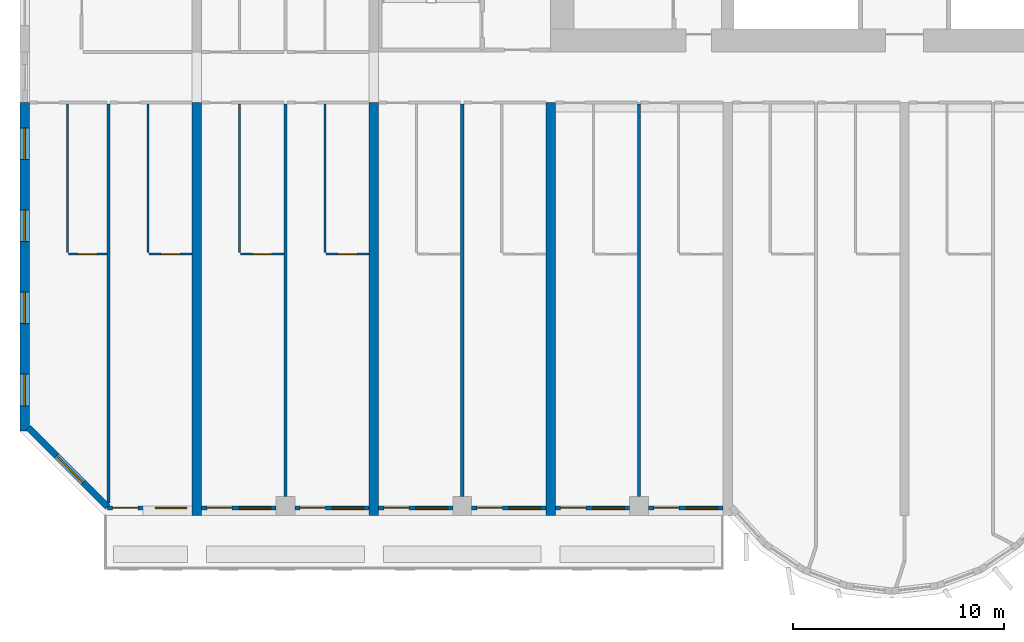
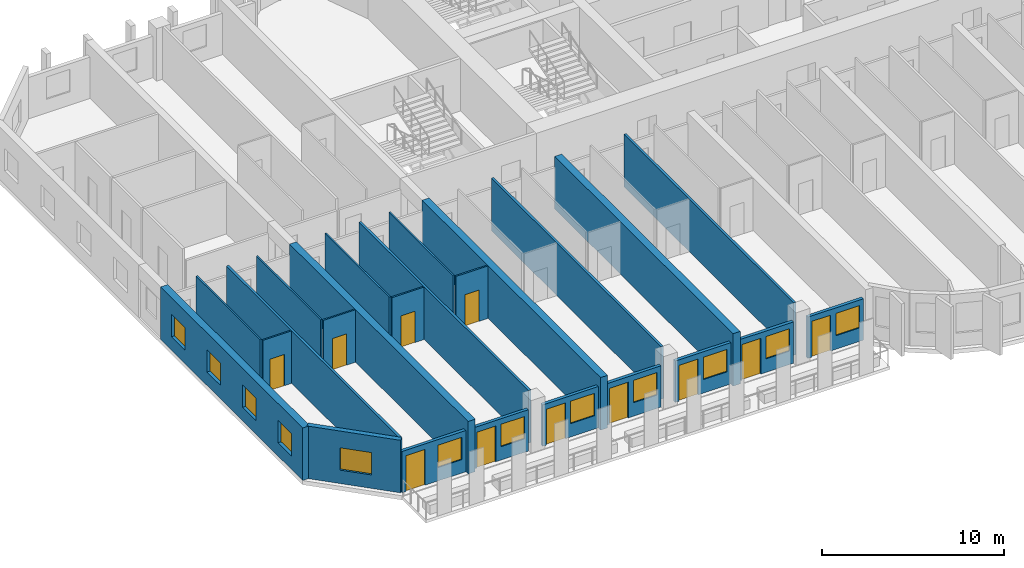
# One storey, part 2 of 15: 24 walls, 12 windows, 11 doors, 23 openings.
"""IFC4 building model written with IfcOpenShell, lengths in metres."""

from ifc_helpers import new_model, si_unit, direction, frame, frame_2d, origin, place, context, subcontext, project, spatial, rectangle, extrude, source, transform, mapped, material, layer, layer_set, type_object, element, fill, save


model = new_model("IFC4")

# Units and contexts
model_context = context("Model", 3, precision=1e-05, world=origin(), true_north=direction((0.0, 1.0)))
body_context = subcontext(model_context, "Body", "Model", "MODEL_VIEW")
ifc_project = project(units=[si_unit("LENGTHUNIT", "METRE"), si_unit("AREAUNIT", "SQUARE_METRE"), si_unit("VOLUMEUNIT", "CUBIC_METRE"), si_unit("PLANEANGLEUNIT", "RADIAN"), si_unit("MASSUNIT", "GRAM", prefix="KILO")], contexts=[model_context])

# Site, building, storey
site_placement = place(None, origin())
site = spatial("IfcSite", under=ifc_project, at=site_placement, CompositionType="ELEMENT")
building_placement = place(site_placement, origin())
building = spatial("IfcBuilding", under=site, at=building_placement, Name="Vanashikhar Sky Hotel", CompositionType="ELEMENT")
storey_placement = place(building_placement, frame((0.0, 0.0, 35.39990234375)))
storey = spatial("IfcBuildingStorey", under=building, at=storey_placement, Name="L07", CompositionType="ELEMENT", Elevation=35.39990234375)

# Wall, openings, windows
ifc_material_1 = material(Name="Concrete M80", Category="concrete")
ifc_layer_1 = layer(ifc_material_1, 0.449951171875)
ifc_layer_set_1 = layer_set([ifc_layer_1], Name="RC shear wall 450 Concrete M80")
wall_type_1 = type_object("IfcWallType", Name="RC shear wall 450 Concrete M80", PredefinedType="SHEAR", material=ifc_layer_set_1)
shared_shape_1 = source(origin(), body_context, "Body", "SweptSolid", [
    extrude(rectangle(XDim=15.60009765625, YDim=0.449951171875, at=frame_2d((7.800048828125, 0.0))), origin(), (0.0, 0.0, 1.0), 3.52001953125),
])
wall_1_placement = place(storey_placement, frame((0.22509765625, 4.0, 0.0), z_axis=(0.0, 0.0, 1.0), x_axis=(0.0, 1.0, 0.0)))
wall_1 = element("IfcWall", 1, at=wall_1_placement, inside=storey, type_object=wall_type_1, Name="CW-L07-XW01-1", PredefinedType="SHEAR", context=body_context, shape_type="MappedRepresentation", body=[
    mapped(shared_shape_1, transform((0.0, 0.0, 0.0), scale=1.0)),
])
shared_shape_2 = source(origin(), body_context, "Body", "SweptSolid", [
    extrude(rectangle(XDim=1.5, YDim=1.5, at=frame_2d((0.75, 0.75))), frame((0.0, 0.23486328125, 0.0), z_axis=(0.0, -1.0, 0.0), x_axis=(1.0, 0.0, 0.0)), (0.0, 0.0, 1.0), 0.469970703125),
])
opening_1_placement = place(wall_1_placement, frame((1.199951171875, 0.0, 0.89990234375)))
opening_1 = element("IfcOpeningElement", 2, at=opening_1_placement, cuts=wall_1, Name="Opening WN-1", PredefinedType="OPENING", context=body_context, shape_type="MappedRepresentation", body=[
    mapped(shared_shape_2, transform((0.0, 0.0, 0.0), scale=1.0)),
])
opening_2_placement = place(wall_1_placement, frame((5.10009765625, 0.0, 0.89990234375)))
opening_2 = element("IfcOpeningElement", 3, at=opening_2_placement, cuts=wall_1, Name="Opening WN-1", PredefinedType="OPENING", context=body_context, shape_type="MappedRepresentation", body=[
    mapped(shared_shape_2, transform((0.0, 0.0, 0.0), scale=1.0)),
])
opening_3_placement = place(wall_1_placement, frame((9.0, 0.0, 0.89990234375)))
opening_3 = element("IfcOpeningElement", 4, at=opening_3_placement, cuts=wall_1, Name="Opening WN-1", PredefinedType="OPENING", context=body_context, shape_type="MappedRepresentation", body=[
    mapped(shared_shape_2, transform((0.0, 0.0, 0.0), scale=1.0)),
])
opening_4_placement = place(wall_1_placement, frame((12.89990234375, 0.0, 0.89990234375)))
opening_4 = element("IfcOpeningElement", 5, at=opening_4_placement, cuts=wall_1, Name="Opening WN-1", PredefinedType="OPENING", context=body_context, shape_type="MappedRepresentation", body=[
    mapped(shared_shape_2, transform((0.0, 0.0, 0.0), scale=1.0)),
])
ifc_material_2 = material(Name="Glass", Category="glass")
window_type_1 = type_object("IfcWindowType", Name="Window 1500 x 1500", PartitioningType="SINGLE_PANEL", PredefinedType="WINDOW", material=ifc_material_2)
shared_shape_3 = source(origin(), body_context, "Body", "SweptSolid", [
    extrude(rectangle(XDim=1.5, YDim=1.5, at=frame_2d((0.75, 0.75))), frame((0.0, 0.030029296875, 0.0), z_axis=(0.0, -1.0, 0.0), x_axis=(1.0, 0.0, 0.0)), (0.0, 0.0, 1.0), 0.06005859375),
])
window_1_placement = place(opening_1_placement, origin())
window_1 = element("IfcWindow", 6, at=window_1_placement, inside=storey, type_object=window_type_1, Name="Window WN-1", OverallHeight=1.5, OverallWidth=1.5, PartitioningType="SINGLE_PANEL", PredefinedType="WINDOW", context=body_context, shape_type="MappedRepresentation", body=[
    mapped(shared_shape_3, transform((0.0, 0.0, 0.0), scale=1.0)),
])
fill(opening_1, window_1)
window_2_placement = place(opening_2_placement, origin())
window_2 = element("IfcWindow", 7, at=window_2_placement, inside=storey, type_object=window_type_1, Name="Window WN-1", OverallHeight=1.5, OverallWidth=1.5, PartitioningType="SINGLE_PANEL", PredefinedType="WINDOW", context=body_context, shape_type="MappedRepresentation", body=[
    mapped(shared_shape_3, transform((0.0, 0.0, 0.0), scale=1.0)),
])
fill(opening_2, window_2)
window_3_placement = place(opening_3_placement, origin())
window_3 = element("IfcWindow", 8, at=window_3_placement, inside=storey, type_object=window_type_1, Name="Window WN-1", OverallHeight=1.5, OverallWidth=1.5, PartitioningType="SINGLE_PANEL", PredefinedType="WINDOW", context=body_context, shape_type="MappedRepresentation", body=[
    mapped(shared_shape_3, transform((0.0, 0.0, 0.0), scale=1.0)),
])
fill(opening_3, window_3)
window_4_placement = place(opening_4_placement, origin())
window_4 = element("IfcWindow", 9, at=window_4_placement, inside=storey, type_object=window_type_1, Name="Window WN-1", OverallHeight=1.5, OverallWidth=1.5, PartitioningType="SINGLE_PANEL", PredefinedType="WINDOW", context=body_context, shape_type="MappedRepresentation", body=[
    mapped(shared_shape_3, transform((0.0, 0.0, 0.0), scale=1.0)),
])
fill(opening_4, window_4)

# Walls
shared_shape_4 = source(origin(), body_context, "Body", "SweptSolid", [
    extrude(rectangle(XDim=19.60009765625, YDim=0.449951171875, at=frame_2d((9.800048828125, 0.0))), origin(), (0.0, 0.0, 1.0), 3.52001953125),
])
for number, where, z_axis, x_axis, name in (
    (10, (8.39990234375, 0.0, 0.0), (0.0, 0.0, 1.0), (0.0, 1.0, 0.0), "CW-L07-XW02-1"),
    (11, (16.800048828125, 0.0, 0.0), (0.0, 0.0, 1.0), (0.0, 1.0, 0.0), "CW-L07-XW03-1"),
    (12, (25.199951171875, 0.0, 0.0), (0.0, 0.0, 1.0), (0.0, 1.0, 0.0), "CW-L07-XW04-1"),
):
    element("IfcWall", number, at=place(storey_placement, frame(where, z_axis=z_axis, x_axis=x_axis)), inside=storey, type_object=wall_type_1, Name=name, PredefinedType="SHEAR", context=body_context, shape_type="MappedRepresentation", body=[
        mapped(shared_shape_4, transform((0.0, 0.0, 0.0), scale=1.0)),
    ])

# Wall, openings, window, door
ifc_material_3 = material(Name="Concrete M50", Category="concrete")
ifc_layer_2 = layer(ifc_material_3, 0.199951171875)
ifc_layer_set_2 = layer_set([ifc_layer_2], Name="Front window wall 200")
wall_type_2 = type_object("IfcWallType", Name="Front window wall 200", PredefinedType="SOLIDWALL", material=ifc_layer_set_2)
shared_shape_5 = source(origin(), body_context, "Body", "SweptSolid", [
    extrude(rectangle(XDim=4.030029296875, YDim=0.199951171875, at=frame_2d((2.01513671875, 0.0))), origin(), (0.0, 0.0, 1.0), 2.77001953125),
])
wall_2_placement = place(storey_placement, frame((4.14501953125, 0.35009765625, 0.0), z_axis=(0.0, 0.0, 1.0), x_axis=(1.0, 0.0, 0.0)))
wall_2 = element("IfcWall", 13, at=wall_2_placement, inside=storey, type_object=wall_type_2, Name="Front window wall", PredefinedType="SOLIDWALL", context=body_context, shape_type="MappedRepresentation", body=[
    mapped(shared_shape_5, transform((0.0, 0.0, 0.0), scale=1.0)),
])
shared_shape_6 = source(origin(), body_context, "Body", "SweptSolid", [
    extrude(rectangle(XDim=1.199951171875, YDim=2.39990234375, at=frame_2d((0.60009765625, 1.199951171875))), frame((0.0, 0.10986328125, 0.0), z_axis=(0.0, -1.0, 0.0), x_axis=(1.0, 0.0, 0.0)), (0.0, 0.0, 1.0), 0.219970703125),
])
opening_5_placement = place(wall_2_placement, frame((0.25, 0.0, 0.0)))
opening_5 = element("IfcOpeningElement", 14, at=opening_5_placement, cuts=wall_2, Name="Opening BD-01", PredefinedType="OPENING", context=body_context, shape_type="MappedRepresentation", body=[
    mapped(shared_shape_6, transform((0.0, 0.0, 0.0), scale=1.0)),
])
shared_shape_7 = source(origin(), body_context, "Body", "SweptSolid", [
    extrude(rectangle(XDim=1.5, YDim=1.5, at=frame_2d((0.75, 0.75))), frame((0.0, 0.10986328125, 0.0), z_axis=(0.0, -1.0, 0.0), x_axis=(1.0, 0.0, 0.0)), (0.0, 0.0, 1.0), 0.219970703125),
])
opening_6_placement = place(wall_2_placement, frame((2.280029296875, 0.0, 0.89990234375)))
opening_6 = element("IfcOpeningElement", 15, at=opening_6_placement, cuts=wall_2, Name="Opening WN-1", PredefinedType="OPENING", context=body_context, shape_type="MappedRepresentation", body=[
    mapped(shared_shape_7, transform((0.0, 0.0, 0.0), scale=1.0)),
])
window_5_placement = place(opening_6_placement, origin())
window_5 = element("IfcWindow", 16, at=window_5_placement, inside=storey, type_object=window_type_1, Name="Window WN-1", OverallHeight=1.5, OverallWidth=1.5, PartitioningType="SINGLE_PANEL", PredefinedType="WINDOW", context=body_context, shape_type="MappedRepresentation", body=[
    mapped(shared_shape_3, transform((0.0, 0.0, 0.0), scale=1.0)),
])
fill(opening_6, window_5)
ifc_material_4 = material(Name="Aluminium", Category="aluminium")
door_type_1 = type_object("IfcDoorType", Name="Balcony sliding door 1200 x 2400", OperationType="NOTDEFINED", PredefinedType="DOOR", material=ifc_material_4)
shared_shape_8 = source(origin(), body_context, "Body", "SweptSolid", [
    extrude(rectangle(XDim=1.199951171875, YDim=2.39990234375, at=frame_2d((0.60009765625, 1.199951171875))), frame((0.0, 0.02490234375, 0.0), z_axis=(0.0, -1.0, 0.0), x_axis=(1.0, 0.0, 0.0)), (0.0, 0.0, 1.0), 0.050048828125),
])
door_1_placement = place(opening_5_placement, origin())
door_1 = element("IfcDoor", 17, at=door_1_placement, inside=storey, type_object=door_type_1, Name="Balcony sliding door", OperationType="SLIDING_TO_LEFT", OverallHeight=2.39990234375, OverallWidth=1.199951171875, PredefinedType="DOOR", context=body_context, shape_type="MappedRepresentation", body=[
    mapped(shared_shape_8, transform((0.0, 0.0, 0.0), scale=1.0)),
])
fill(opening_5, door_1)

shared_shape_9 = source(origin(), body_context, "Body", "SweptSolid", [
    extrude(rectangle(XDim=3.52490234375, YDim=0.199951171875, at=frame_2d((1.762451171875, 0.0))), origin(), (0.0, 0.0, 1.0), 2.77001953125),
])
wall_3_placement = place(storey_placement, frame((8.625, 0.35009765625, 0.0), z_axis=(0.0, 0.0, 1.0), x_axis=(1.0, 0.0, 0.0)))
wall_3 = element("IfcWall", 18, at=wall_3_placement, inside=storey, type_object=wall_type_2, Name="Front window wall", PredefinedType="SOLIDWALL", context=body_context, shape_type="MappedRepresentation", body=[
    mapped(shared_shape_9, transform((0.0, 0.0, 0.0), scale=1.0)),
])
opening_7_placement = place(wall_3_placement, frame((0.25, 0.0, 0.0)))
opening_7 = element("IfcOpeningElement", 19, at=opening_7_placement, cuts=wall_3, Name="Opening BD-02", PredefinedType="OPENING", context=body_context, shape_type="MappedRepresentation", body=[
    mapped(shared_shape_6, transform((0.0, 0.0, 0.0), scale=1.0)),
])
opening_8_placement = place(wall_3_placement, frame((1.77490234375, 0.0, 0.89990234375)))
opening_8 = element("IfcOpeningElement", 20, at=opening_8_placement, cuts=wall_3, Name="Opening WN-1", PredefinedType="OPENING", context=body_context, shape_type="MappedRepresentation", body=[
    mapped(shared_shape_7, transform((0.0, 0.0, 0.0), scale=1.0)),
])
window_6_placement = place(opening_8_placement, origin())
window_6 = element("IfcWindow", 21, at=window_6_placement, inside=storey, type_object=window_type_1, Name="Window WN-1", OverallHeight=1.5, OverallWidth=1.5, PartitioningType="SINGLE_PANEL", PredefinedType="WINDOW", context=body_context, shape_type="MappedRepresentation", body=[
    mapped(shared_shape_3, transform((0.0, 0.0, 0.0), scale=1.0)),
])
fill(opening_8, window_6)
door_2_placement = place(opening_7_placement, origin())
door_2 = element("IfcDoor", 22, at=door_2_placement, inside=storey, type_object=door_type_1, Name="Balcony sliding door", OperationType="SLIDING_TO_RIGHT", OverallHeight=2.39990234375, OverallWidth=1.199951171875, PredefinedType="DOOR", context=body_context, shape_type="MappedRepresentation", body=[
    mapped(shared_shape_8, transform((0.0, 0.0, 0.0), scale=1.0)),
])
fill(opening_7, door_2)

wall_4_placement = place(storey_placement, frame((13.050048828125, 0.35009765625, 0.0), z_axis=(0.0, 0.0, 1.0), x_axis=(1.0, 0.0, 0.0)))
wall_4 = element("IfcWall", 23, at=wall_4_placement, inside=storey, type_object=wall_type_2, Name="Front window wall", PredefinedType="SOLIDWALL", context=body_context, shape_type="MappedRepresentation", body=[
    mapped(shared_shape_9, transform((0.0, 0.0, 0.0), scale=1.0)),
])
opening_9_placement = place(wall_4_placement, frame((0.25, 0.0, 0.0)))
opening_9 = element("IfcOpeningElement", 24, at=opening_9_placement, cuts=wall_4, Name="Opening BD-03", PredefinedType="OPENING", context=body_context, shape_type="MappedRepresentation", body=[
    mapped(shared_shape_6, transform((0.0, 0.0, 0.0), scale=1.0)),
])
opening_10_placement = place(wall_4_placement, frame((1.77490234375, 0.0, 0.89990234375)))
opening_10 = element("IfcOpeningElement", 25, at=opening_10_placement, cuts=wall_4, Name="Opening WN-1", PredefinedType="OPENING", context=body_context, shape_type="MappedRepresentation", body=[
    mapped(shared_shape_7, transform((0.0, 0.0, 0.0), scale=1.0)),
])
window_7_placement = place(opening_10_placement, origin())
window_7 = element("IfcWindow", 26, at=window_7_placement, inside=storey, type_object=window_type_1, Name="Window WN-1", OverallHeight=1.5, OverallWidth=1.5, PartitioningType="SINGLE_PANEL", PredefinedType="WINDOW", context=body_context, shape_type="MappedRepresentation", body=[
    mapped(shared_shape_3, transform((0.0, 0.0, 0.0), scale=1.0)),
])
fill(opening_10, window_7)
door_3_placement = place(opening_9_placement, origin())
door_3 = element("IfcDoor", 27, at=door_3_placement, inside=storey, type_object=door_type_1, Name="Balcony sliding door", OperationType="SLIDING_TO_LEFT", OverallHeight=2.39990234375, OverallWidth=1.199951171875, PredefinedType="DOOR", context=body_context, shape_type="MappedRepresentation", body=[
    mapped(shared_shape_8, transform((0.0, 0.0, 0.0), scale=1.0)),
])
fill(opening_9, door_3)

wall_5_placement = place(storey_placement, frame((25.425048828125, 0.35009765625, 0.0), z_axis=(0.0, 0.0, 1.0), x_axis=(1.0, 0.0, 0.0)))
wall_5 = element("IfcWall", 28, at=wall_5_placement, inside=storey, type_object=wall_type_2, Name="Front window wall", PredefinedType="SOLIDWALL", context=body_context, shape_type="MappedRepresentation", body=[
    mapped(shared_shape_9, transform((0.0, 0.0, 0.0), scale=1.0)),
])
opening_11_placement = place(wall_5_placement, frame((0.25, 0.0, 0.0)))
opening_11 = element("IfcOpeningElement", 29, at=opening_11_placement, cuts=wall_5, Name="Opening BD-06", PredefinedType="OPENING", context=body_context, shape_type="MappedRepresentation", body=[
    mapped(shared_shape_6, transform((0.0, 0.0, 0.0), scale=1.0)),
])
opening_12_placement = place(wall_5_placement, frame((1.77490234375, 0.0, 0.89990234375)))
opening_12 = element("IfcOpeningElement", 30, at=opening_12_placement, cuts=wall_5, Name="Opening WN-1", PredefinedType="OPENING", context=body_context, shape_type="MappedRepresentation", body=[
    mapped(shared_shape_7, transform((0.0, 0.0, 0.0), scale=1.0)),
])
window_8_placement = place(opening_12_placement, origin())
window_8 = element("IfcWindow", 31, at=window_8_placement, inside=storey, type_object=window_type_1, Name="Window WN-1", OverallHeight=1.5, OverallWidth=1.5, PartitioningType="SINGLE_PANEL", PredefinedType="WINDOW", context=body_context, shape_type="MappedRepresentation", body=[
    mapped(shared_shape_3, transform((0.0, 0.0, 0.0), scale=1.0)),
])
fill(opening_12, window_8)
door_4_placement = place(opening_11_placement, origin())
door_4 = element("IfcDoor", 32, at=door_4_placement, inside=storey, type_object=door_type_1, Name="Balcony sliding door", OperationType="SLIDING_TO_RIGHT", OverallHeight=2.39990234375, OverallWidth=1.199951171875, PredefinedType="DOOR", context=body_context, shape_type="MappedRepresentation", body=[
    mapped(shared_shape_8, transform((0.0, 0.0, 0.0), scale=1.0)),
])
fill(opening_11, door_4)

wall_6_placement = place(storey_placement, frame((29.85009765625, 0.35009765625, 0.0), z_axis=(0.0, 0.0, 1.0), x_axis=(1.0, 0.0, 0.0)))
wall_6 = element("IfcWall", 33, at=wall_6_placement, inside=storey, type_object=wall_type_2, Name="Front window wall", PredefinedType="SOLIDWALL", context=body_context, shape_type="MappedRepresentation", body=[
    mapped(shared_shape_9, transform((0.0, 0.0, 0.0), scale=1.0)),
])
opening_13_placement = place(wall_6_placement, frame((0.25, 0.0, 0.0)))
opening_13 = element("IfcOpeningElement", 34, at=opening_13_placement, cuts=wall_6, Name="Opening BD-07", PredefinedType="OPENING", context=body_context, shape_type="MappedRepresentation", body=[
    mapped(shared_shape_6, transform((0.0, 0.0, 0.0), scale=1.0)),
])
opening_14_placement = place(wall_6_placement, frame((1.77490234375, 0.0, 0.89990234375)))
opening_14 = element("IfcOpeningElement", 35, at=opening_14_placement, cuts=wall_6, Name="Opening WN-1", PredefinedType="OPENING", context=body_context, shape_type="MappedRepresentation", body=[
    mapped(shared_shape_7, transform((0.0, 0.0, 0.0), scale=1.0)),
])
window_9_placement = place(opening_14_placement, origin())
window_9 = element("IfcWindow", 36, at=window_9_placement, inside=storey, type_object=window_type_1, Name="Window WN-1", OverallHeight=1.5, OverallWidth=1.5, PartitioningType="SINGLE_PANEL", PredefinedType="WINDOW", context=body_context, shape_type="MappedRepresentation", body=[
    mapped(shared_shape_3, transform((0.0, 0.0, 0.0), scale=1.0)),
])
fill(opening_14, window_9)
door_5_placement = place(opening_13_placement, origin())
door_5 = element("IfcDoor", 37, at=door_5_placement, inside=storey, type_object=door_type_1, Name="Balcony sliding door", OperationType="SLIDING_TO_LEFT", OverallHeight=2.39990234375, OverallWidth=1.199951171875, PredefinedType="DOOR", context=body_context, shape_type="MappedRepresentation", body=[
    mapped(shared_shape_8, transform((0.0, 0.0, 0.0), scale=1.0)),
])
fill(opening_13, door_5)

shared_shape_10 = source(origin(), body_context, "Body", "SweptSolid", [
    extrude(rectangle(XDim=3.525146484375, YDim=0.199951171875, at=frame_2d((1.7626953125, 0.0))), origin(), (0.0, 0.0, 1.0), 2.77001953125),
])
wall_7_placement = place(storey_placement, frame((17.02490234375, 0.35009765625, 0.0), z_axis=(0.0, 0.0, 1.0), x_axis=(1.0, 0.0, 0.0)))
wall_7 = element("IfcWall", 38, at=wall_7_placement, inside=storey, type_object=wall_type_2, Name="Front window wall", PredefinedType="SOLIDWALL", context=body_context, shape_type="MappedRepresentation", body=[
    mapped(shared_shape_10, transform((0.0, 0.0, 0.0), scale=1.0)),
])
opening_15_placement = place(wall_7_placement, frame((0.25, 0.0, 0.0)))
opening_15 = element("IfcOpeningElement", 39, at=opening_15_placement, cuts=wall_7, Name="Opening BD-04", PredefinedType="OPENING", context=body_context, shape_type="MappedRepresentation", body=[
    mapped(shared_shape_6, transform((0.0, 0.0, 0.0), scale=1.0)),
])
opening_16_placement = place(wall_7_placement, frame((1.77490234375, 0.0, 0.89990234375)))
opening_16 = element("IfcOpeningElement", 40, at=opening_16_placement, cuts=wall_7, Name="Opening WN-1", PredefinedType="OPENING", context=body_context, shape_type="MappedRepresentation", body=[
    mapped(shared_shape_7, transform((0.0, 0.0, 0.0), scale=1.0)),
])
window_10_placement = place(opening_16_placement, origin())
window_10 = element("IfcWindow", 41, at=window_10_placement, inside=storey, type_object=window_type_1, Name="Window WN-1", OverallHeight=1.5, OverallWidth=1.5, PartitioningType="SINGLE_PANEL", PredefinedType="WINDOW", context=body_context, shape_type="MappedRepresentation", body=[
    mapped(shared_shape_3, transform((0.0, 0.0, 0.0), scale=1.0)),
])
fill(opening_16, window_10)
door_6_placement = place(opening_15_placement, origin())
door_6 = element("IfcDoor", 42, at=door_6_placement, inside=storey, type_object=door_type_1, Name="Balcony sliding door", OperationType="SLIDING_TO_RIGHT", OverallHeight=2.39990234375, OverallWidth=1.199951171875, PredefinedType="DOOR", context=body_context, shape_type="MappedRepresentation", body=[
    mapped(shared_shape_8, transform((0.0, 0.0, 0.0), scale=1.0)),
])
fill(opening_15, door_6)

wall_8_placement = place(storey_placement, frame((21.449951171875, 0.35009765625, 0.0), z_axis=(0.0, 0.0, 1.0), x_axis=(1.0, 0.0, 0.0)))
wall_8 = element("IfcWall", 43, at=wall_8_placement, inside=storey, type_object=wall_type_2, Name="Front window wall", PredefinedType="SOLIDWALL", context=body_context, shape_type="MappedRepresentation", body=[
    mapped(shared_shape_10, transform((0.0, 0.0, 0.0), scale=1.0)),
])
opening_17_placement = place(wall_8_placement, frame((0.25, 0.0, 0.0)))
opening_17 = element("IfcOpeningElement", 44, at=opening_17_placement, cuts=wall_8, Name="Opening BD-05", PredefinedType="OPENING", context=body_context, shape_type="MappedRepresentation", body=[
    mapped(shared_shape_6, transform((0.0, 0.0, 0.0), scale=1.0)),
])
opening_18_placement = place(wall_8_placement, frame((1.77490234375, 0.0, 0.89990234375)))
opening_18 = element("IfcOpeningElement", 45, at=opening_18_placement, cuts=wall_8, Name="Opening WN-1", PredefinedType="OPENING", context=body_context, shape_type="MappedRepresentation", body=[
    mapped(shared_shape_7, transform((0.0, 0.0, 0.0), scale=1.0)),
])
window_11_placement = place(opening_18_placement, origin())
window_11 = element("IfcWindow", 46, at=window_11_placement, inside=storey, type_object=window_type_1, Name="Window WN-1", OverallHeight=1.5, OverallWidth=1.5, PartitioningType="SINGLE_PANEL", PredefinedType="WINDOW", context=body_context, shape_type="MappedRepresentation", body=[
    mapped(shared_shape_3, transform((0.0, 0.0, 0.0), scale=1.0)),
])
fill(opening_18, window_11)
door_7_placement = place(opening_17_placement, origin())
door_7 = element("IfcDoor", 47, at=door_7_placement, inside=storey, type_object=door_type_1, Name="Balcony sliding door", OperationType="SLIDING_TO_LEFT", OverallHeight=2.39990234375, OverallWidth=1.199951171875, PredefinedType="DOOR", context=body_context, shape_type="MappedRepresentation", body=[
    mapped(shared_shape_8, transform((0.0, 0.0, 0.0), scale=1.0)),
])
fill(opening_17, door_7)

# Wall, opening, window
ifc_layer_3 = layer(ifc_material_3, 0.300048828125)
ifc_layer_set_3 = layer_set([ifc_layer_3], Name="Lobe wall 300")
wall_type_3 = type_object("IfcWallType", Name="Lobe wall 300", PredefinedType="SOLIDWALL", material=ifc_layer_set_3)
shared_shape_11 = source(origin(), body_context, "Body", "SweptSolid", [
    extrude(rectangle(XDim=5.32568359375, YDim=0.300048828125, at=frame_2d((2.662841796875, 0.0))), origin(), (0.0, 0.0, 1.0), 3.52001953125),
])
wall_9_placement = place(storey_placement, frame((0.39990234375, 4.165771484375, 0.0), z_axis=(0.0, 0.0, 1.0), x_axis=(0.707106781187, -0.707106781187, 0.0)))
wall_9 = element("IfcWall", 48, at=wall_9_placement, inside=storey, type_object=wall_type_3, Name="Corner wall", PredefinedType="SOLIDWALL", context=body_context, shape_type="MappedRepresentation", body=[
    mapped(shared_shape_11, transform((0.0, 0.0, 0.0), scale=1.0)),
])
shared_shape_12 = source(origin(), body_context, "Body", "SweptSolid", [
    extrude(rectangle(XDim=1.800048828125, YDim=1.5, at=frame_2d((0.89990234375, 0.75))), frame((0.0, 0.16015625, 0.0), z_axis=(0.0, -1.0, 0.0), x_axis=(1.0, 0.0, 0.0)), (0.0, 0.0, 1.0), 0.320068359375),
])
opening_19_placement = place(wall_9_placement, frame((1.888916015625, 0.0, 0.89990234375)))
opening_19 = element("IfcOpeningElement", 49, at=opening_19_placement, cuts=wall_9, Name="Opening WN-4", PredefinedType="OPENING", context=body_context, shape_type="MappedRepresentation", body=[
    mapped(shared_shape_12, transform((0.0, 0.0, 0.0), scale=1.0)),
])
window_type_2 = type_object("IfcWindowType", Name="Corner window 1800 x 1500", PartitioningType="SINGLE_PANEL", PredefinedType="WINDOW", material=ifc_material_2)
shared_shape_13 = source(origin(), body_context, "Body", "SweptSolid", [
    extrude(rectangle(XDim=1.800048828125, YDim=1.5, at=frame_2d((0.89990234375, 0.75))), frame((0.0, 0.030029296875, 0.0), z_axis=(0.0, -1.0, 0.0), x_axis=(1.0, 0.0, 0.0)), (0.0, 0.0, 1.0), 0.06005859375),
])
window_12_placement = place(opening_19_placement, origin())
window_12 = element("IfcWindow", 50, at=window_12_placement, inside=storey, type_object=window_type_2, Name="Window WN-4", OverallHeight=1.5, OverallWidth=1.800048828125, PartitioningType="SINGLE_PANEL", PredefinedType="WINDOW", context=body_context, shape_type="MappedRepresentation", body=[
    mapped(shared_shape_13, transform((0.0, 0.0, 0.0), scale=1.0)),
])
fill(opening_19, window_12)

# Walls
ifc_material_5 = material(Name="Gypsum plasterboard partition")
ifc_layer_4 = layer(ifc_material_5, 0.10009765625)
ifc_layer_set_4 = layer_set([ifc_layer_4], Name="Wet room partition 100")
wall_type_4 = type_object("IfcWallType", Name="Wet room partition 100", PredefinedType="PARTITIONING", material=ifc_layer_set_4)
shared_shape_14 = source(origin(), body_context, "Body", "SweptSolid", [
    extrude(rectangle(XDim=7.0498046875, YDim=0.10009765625, at=frame_2d((3.52490234375, 0.0))), origin(), (0.0, 0.0, 1.0), 3.52001953125),
])
for number, where, z_axis, x_axis, name in (
    (51, (2.25, 12.47509765625, 0.0), (0.0, 0.0, 1.0), (0.0, 1.0, 0.0), "W-L07-PW001"),
    (52, (6.074951171875, 12.47509765625, 0.0), (0.0, 0.0, 1.0), (0.0, 1.0, 0.0), "W-L07-PW004"),
    (53, (10.425048828125, 12.47509765625, 0.0), (0.0, 0.0, 1.0), (0.0, 1.0, 0.0), "W-L07-PW008"),
    (54, (14.47509765625, 12.47509765625, 0.0), (0.0, 0.0, 1.0), (0.0, 1.0, 0.0), "W-L07-PW011"),
):
    element("IfcWall", number, at=place(storey_placement, frame(where, z_axis=z_axis, x_axis=x_axis)), inside=storey, type_object=wall_type_4, Name=name, PredefinedType="PARTITIONING", context=body_context, shape_type="MappedRepresentation", body=[
        mapped(shared_shape_14, transform((0.0, 0.0, 0.0), scale=1.0)),
    ])

# Wall, opening, door
shared_shape_15 = source(origin(), body_context, "Body", "SweptSolid", [
    extrude(rectangle(XDim=1.824951171875, YDim=0.10009765625, at=frame_2d((0.91259765625, 0.0))), origin(), (0.0, 0.0, 1.0), 3.52001953125),
])
wall_10_placement = place(storey_placement, frame((2.300048828125, 12.39990234375, 0.0), z_axis=(0.0, 0.0, 1.0), x_axis=(1.0, 0.0, 0.0)))
wall_10 = element("IfcWall", 55, at=wall_10_placement, inside=storey, type_object=wall_type_4, Name="W-L07-PW002", PredefinedType="PARTITIONING", context=body_context, shape_type="MappedRepresentation", body=[
    mapped(shared_shape_15, transform((0.0, 0.0, 0.0), scale=1.0)),
])
shared_shape_16 = source(origin(), body_context, "Body", "SweptSolid", [
    extrude(rectangle(XDim=0.89990234375, YDim=2.10009765625, at=frame_2d((0.449951171875, 1.050048828125))), frame((0.0, 0.06005859375, 0.0), z_axis=(0.0, -1.0, 0.0), x_axis=(1.0, 0.0, 0.0)), (0.0, 0.0, 1.0), 0.1201171875),
])
opening_20_placement = place(wall_10_placement, frame((0.4619140625, 0.0, 0.0)))
opening_20 = element("IfcOpeningElement", 56, at=opening_20_placement, cuts=wall_10, Name="Opening D-02", PredefinedType="OPENING", context=body_context, shape_type="MappedRepresentation", body=[
    mapped(shared_shape_16, transform((0.0, 0.0, 0.0), scale=1.0)),
])
ifc_material_6 = material(Name="Timber door", Category="wood")
door_type_2 = type_object("IfcDoorType", Name="Internal door 900", OperationType="NOTDEFINED", PredefinedType="DOOR", material=ifc_material_6)
shared_shape_17 = source(origin(), body_context, "Body", "SweptSolid", [
    extrude(rectangle(XDim=0.89990234375, YDim=2.10009765625, at=frame_2d((0.449951171875, 1.050048828125))), frame((0.0, 0.02490234375, 0.0), z_axis=(0.0, -1.0, 0.0), x_axis=(1.0, 0.0, 0.0)), (0.0, 0.0, 1.0), 0.050048828125),
])
door_8_placement = place(opening_20_placement, origin())
door_8 = element("IfcDoor", 57, at=door_8_placement, inside=storey, type_object=door_type_2, Name="D-L07-001", OperationType="SINGLE_SWING_LEFT", OverallHeight=2.10009765625, OverallWidth=0.89990234375, PredefinedType="DOOR", context=body_context, shape_type="MappedRepresentation", body=[
    mapped(shared_shape_17, transform((0.0, 0.0, 0.0), scale=1.0)),
])
fill(opening_20, door_8)

shared_shape_18 = source(origin(), body_context, "Body", "SweptSolid", [
    extrude(rectangle(XDim=2.050048828125, YDim=0.10009765625, at=frame_2d((1.02490234375, 0.0))), origin(), (0.0, 0.0, 1.0), 3.52001953125),
])
wall_11_placement = place(storey_placement, frame((6.125, 12.39990234375, 0.0), z_axis=(0.0, 0.0, 1.0), x_axis=(1.0, 0.0, 0.0)))
wall_11 = element("IfcWall", 58, at=wall_11_placement, inside=storey, type_object=wall_type_4, Name="W-L07-PW005", PredefinedType="PARTITIONING", context=body_context, shape_type="MappedRepresentation", body=[
    mapped(shared_shape_18, transform((0.0, 0.0, 0.0), scale=1.0)),
])
opening_21_placement = place(wall_11_placement, frame((0.574951171875, 0.0, 0.0)))
opening_21 = element("IfcOpeningElement", 59, at=opening_21_placement, cuts=wall_11, Name="Opening D-02", PredefinedType="OPENING", context=body_context, shape_type="MappedRepresentation", body=[
    mapped(shared_shape_16, transform((0.0, 0.0, 0.0), scale=1.0)),
])
door_9_placement = place(opening_21_placement, origin())
door_9 = element("IfcDoor", 60, at=door_9_placement, inside=storey, type_object=door_type_2, Name="D-L07-003", OperationType="SINGLE_SWING_LEFT", OverallHeight=2.10009765625, OverallWidth=0.89990234375, PredefinedType="DOOR", context=body_context, shape_type="MappedRepresentation", body=[
    mapped(shared_shape_17, transform((0.0, 0.0, 0.0), scale=1.0)),
])
fill(opening_21, door_9)

wall_12_placement = place(storey_placement, frame((14.52490234375, 12.39990234375, 0.0), z_axis=(0.0, 0.0, 1.0), x_axis=(1.0, 0.0, 0.0)))
wall_12 = element("IfcWall", 61, at=wall_12_placement, inside=storey, type_object=wall_type_4, Name="W-L07-PW012", PredefinedType="PARTITIONING", context=body_context, shape_type="MappedRepresentation", body=[
    mapped(shared_shape_18, transform((0.0, 0.0, 0.0), scale=1.0)),
])
opening_22_placement = place(wall_12_placement, frame((0.574951171875, 0.0, 0.0)))
opening_22 = element("IfcOpeningElement", 62, at=opening_22_placement, cuts=wall_12, Name="Opening D-02", PredefinedType="OPENING", context=body_context, shape_type="MappedRepresentation", body=[
    mapped(shared_shape_16, transform((0.0, 0.0, 0.0), scale=1.0)),
])
door_10_placement = place(opening_22_placement, origin())
door_10 = element("IfcDoor", 63, at=door_10_placement, inside=storey, type_object=door_type_2, Name="D-L07-007", OperationType="SINGLE_SWING_LEFT", OverallHeight=2.10009765625, OverallWidth=0.89990234375, PredefinedType="DOOR", context=body_context, shape_type="MappedRepresentation", body=[
    mapped(shared_shape_17, transform((0.0, 0.0, 0.0), scale=1.0)),
])
fill(opening_22, door_10)

# Wall
ifc_layer_5 = layer(ifc_material_5, 0.14990234375)
ifc_layer_set_5 = layer_set([ifc_layer_5], Name="Corridor and demising partition 150")
wall_type_5 = type_object("IfcWallType", Name="Corridor and demising partition 150", PredefinedType="PARTITIONING", material=ifc_layer_set_5)
shared_shape_19 = source(origin(), body_context, "Body", "SweptSolid", [
    extrude(rectangle(XDim=18.947021484375, YDim=0.14990234375, at=frame_2d((9.4736328125, 0.0))), origin(), (0.0, 0.0, 1.0), 3.52001953125),
])
wall_13_placement = place(storey_placement, frame((4.199951171875, 0.577880859375, 0.0), z_axis=(0.0, 0.0, 1.0), x_axis=(0.0, 1.0, 0.0)))
element("IfcWall", 64, at=wall_13_placement, inside=storey, type_object=wall_type_5, Name="W-L07-PW007", PredefinedType="PARTITIONING", context=body_context, shape_type="MappedRepresentation", body=[
    mapped(shared_shape_19, transform((0.0, 0.0, 0.0), scale=1.0)),
])

# Wall, opening, door
shared_shape_20 = source(origin(), body_context, "Body", "SweptSolid", [
    extrude(rectangle(XDim=2.0498046875, YDim=0.10009765625, at=frame_2d((1.02490234375, 0.0))), origin(), (0.0, 0.0, 1.0), 3.52001953125),
])
wall_14_placement = place(storey_placement, frame((10.47509765625, 12.39990234375, 0.0), z_axis=(0.0, 0.0, 1.0), x_axis=(1.0, 0.0, 0.0)))
wall_14 = element("IfcWall", 65, at=wall_14_placement, inside=storey, type_object=wall_type_4, Name="W-L07-PW009", PredefinedType="PARTITIONING", context=body_context, shape_type="MappedRepresentation", body=[
    mapped(shared_shape_20, transform((0.0, 0.0, 0.0), scale=1.0)),
])
opening_23_placement = place(wall_14_placement, frame((0.574951171875, 0.0, 0.0)))
opening_23 = element("IfcOpeningElement", 66, at=opening_23_placement, cuts=wall_14, Name="Opening D-02", PredefinedType="OPENING", context=body_context, shape_type="MappedRepresentation", body=[
    mapped(shared_shape_16, transform((0.0, 0.0, 0.0), scale=1.0)),
])
door_11_placement = place(opening_23_placement, origin())
door_11 = element("IfcDoor", 67, at=door_11_placement, inside=storey, type_object=door_type_2, Name="D-L07-005", OperationType="SINGLE_SWING_LEFT", OverallHeight=2.10009765625, OverallWidth=0.89990234375, PredefinedType="DOOR", context=body_context, shape_type="MappedRepresentation", body=[
    mapped(shared_shape_17, transform((0.0, 0.0, 0.0), scale=1.0)),
])
fill(opening_23, door_11)

# Walls
shared_shape_21 = source(origin(), body_context, "Body", "SweptSolid", [
    extrude(rectangle(XDim=18.625, YDim=0.14990234375, at=frame_2d((9.3125, 0.0))), origin(), (0.0, 0.0, 1.0), 3.52001953125),
])
for number, where, z_axis, x_axis, name in (
    (68, (12.60009765625, 0.89990234375, 0.0), (0.0, 0.0, 1.0), (0.0, 1.0, 0.0), "W-L07-PW014"),
    (69, (21.0, 0.89990234375, 0.0), (0.0, 0.0, 1.0), (0.0, 1.0, 0.0), "W-L07-PW021"),
    (70, (29.39990234375, 0.89990234375, 0.0), (0.0, 0.0, 1.0), (0.0, 1.0, 0.0), "W-L07-PW028"),
):
    element("IfcWall", number, at=place(storey_placement, frame(where, z_axis=z_axis, x_axis=x_axis)), inside=storey, type_object=wall_type_5, Name=name, PredefinedType="PARTITIONING", context=body_context, shape_type="MappedRepresentation", body=[
        mapped(shared_shape_21, transform((0.0, 0.0, 0.0), scale=1.0)),
    ])

save(model, "model.ifc")
